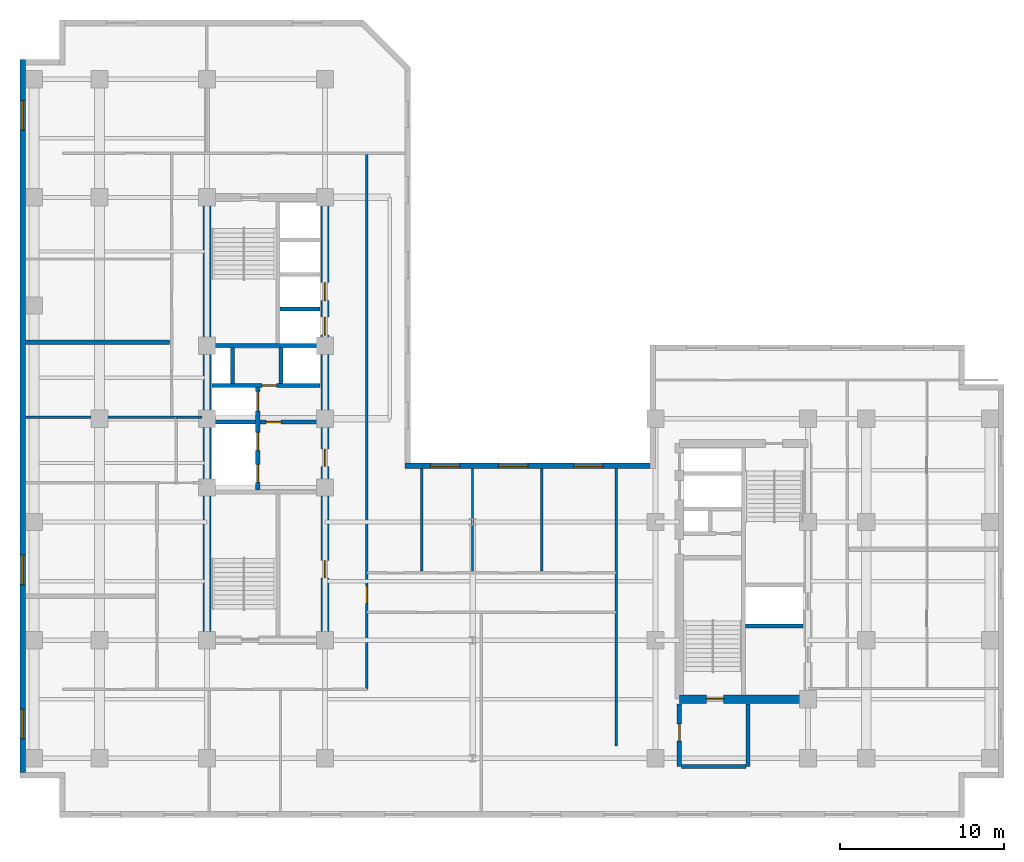
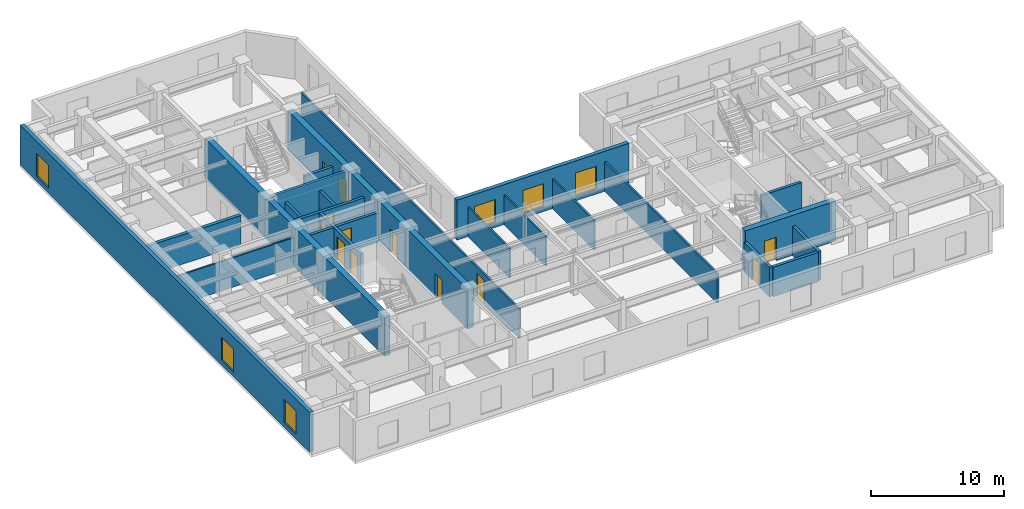
# One storey, part 4 of 9: 25 walls, 12 doors, 6 windows, 18 openings.
"""IFC4 building model written with IfcOpenShell, lengths in metres."""

from ifc_helpers import new_model, entity, si_unit, converted_unit, direction, frame, origin_with_axes, origin_2d_with_axis, place, context, subcontext, project, spatial, polyline, rectangle, outline, extrude, material, layer, layer_set, type_object, element, fill, save


model = new_model("IFC4")

# Units and contexts
model_context = context("Model", 3, precision=1e-05, world=origin_with_axes(), true_north=direction((0.0, 1.0)))
body_context = subcontext(model_context, "Body", "Model", "MODEL_VIEW")
ifc_project = project(units=[si_unit("LENGTHUNIT", "METRE"), si_unit("AREAUNIT", "SQUARE_METRE"), si_unit("VOLUMEUNIT", "CUBIC_METRE"), converted_unit("PLANEANGLEUNIT", "DEGREE", entity("IfcPlaneAngleMeasure", 0.017453292519943295), si_unit("PLANEANGLEUNIT", "RADIAN"), dimensions=[0, 0, 0, 0, 0, 0, 0]), si_unit("MASSUNIT", "GRAM", prefix="KILO"), si_unit("THERMODYNAMICTEMPERATUREUNIT", "KELVIN")], contexts=[model_context])

# Site, building, storey
site_placement = place(None, origin_with_axes())
site = spatial("IfcSite", under=ifc_project, at=site_placement, CompositionType="ELEMENT")
building_placement = place(site_placement, origin_with_axes())
building = spatial("IfcBuilding", under=site, at=building_placement, Name="Varnlund Millrace Tower", CompositionType="ELEMENT")
storey_placement = place(building_placement, frame((0.0, 0.0, 164.1), z_axis=(0.0, 0.0, 1.0), x_axis=(1.0, 0.0, 0.0)))
storey = spatial("IfcBuildingStorey", under=building, at=storey_placement, Name="L40", CompositionType="ELEMENT", Elevation=164.1)

# Wall
ifc_material_1 = material(Name="Concrete C70/85", Category="concrete")
ifc_layer_1 = layer(ifc_material_1, 0.5, Name="Concrete C70/85")
ifc_layer_set_1 = layer_set([ifc_layer_1], Name="Concrete C70/85")
wall_type_1 = type_object("IfcWallType", Name="Type-CoreWall-Shear-500-C70", PredefinedType="SHEAR", material=ifc_layer_set_1)
wall_1_placement = place(storey_placement, frame((11.4, 10.8, 0.0), z_axis=(0.0, 0.0, 1.0), x_axis=(0.0, 1.0, 0.0)))
element("IfcWall", 1, at=wall_1_placement, inside=storey, type_object=wall_type_1, Name="Type-CoreWall-Shear-500-C70", PredefinedType="SHEAR", context=body_context, shape_type="SweptSolid", body=[
    extrude(outline(polyline([(0.0, -0.25), (27.0, -0.25), (27.0, 0.25), (0.0, 0.25), (0.0, -0.25)])), origin_with_axes(), (0.0, 0.0, 1.0), 3.66),
])

# Wall, openings, doors
wall_2_placement = place(storey_placement, frame((18.6, 10.8, 0.0), z_axis=(0.0, 0.0, 1.0), x_axis=(0.0, 1.0, 0.0)))
wall_2 = element("IfcWall", 2, at=wall_2_placement, inside=storey, type_object=wall_type_1, Name="Type-CoreWall-Shear-500-C70", PredefinedType="SHEAR", context=body_context, shape_type="SweptSolid", body=[
    extrude(outline(polyline([(0.0, -0.25), (13.5, -0.25), (13.5, 0.25), (0.0, 0.25), (0.0, -0.25)])), origin_with_axes(), (0.0, 0.0, 1.0), 3.66),
])
opening_1_placement = place(wall_2_placement, frame((11.125, 0.0, 0.0), z_axis=(0.0, 0.0, 1.0), x_axis=(1.0, 0.0, 0.0)))
opening_1 = element("IfcOpeningElement", 3, at=opening_1_placement, cuts=wall_2, Name="Opening L40:DR-FFLOB-A", PredefinedType="OPENING", context=body_context, shape_type="SweptSolid", body=[
    extrude(rectangle(XDim=1.05, YDim=0.52, at=origin_2d_with_axis()), origin_with_axes(), (0.0, 0.0, 1.0), 2.15),
])
opening_2_placement = place(wall_2_placement, frame((4.325, 0.0, 0.0), z_axis=(0.0, 0.0, 1.0), x_axis=(1.0, 0.0, 0.0)))
opening_2 = element("IfcOpeningElement", 4, at=opening_2_placement, cuts=wall_2, Name="Opening L40:DR-RECL-A1", PredefinedType="OPENING", context=body_context, shape_type="SweptSolid", body=[
    extrude(rectangle(XDim=1.05, YDim=0.52, at=origin_2d_with_axis()), origin_with_axes(), (0.0, 0.0, 1.0), 2.15),
])
ifc_material_2 = material(Name="Smoke-barrier hollow steel fire door", Category="steel")
door_type_1 = type_object("IfcDoorType", Name="Type-FireDoor-Lobby-1050X2150", OperationType="NOTDEFINED", PredefinedType="DOOR", material=ifc_material_2)
door_1_placement = place(wall_2_placement, frame((11.125, 0.0, 0.0), z_axis=(0.0, 0.0, 1.0), x_axis=(1.0, 0.0, 0.0)))
door_1 = element("IfcDoor", 5, at=door_1_placement, inside=storey, type_object=door_type_1, Name="Type-FireDoor-Lobby-1050X2150", OperationType="SINGLE_SWING_LEFT", OverallHeight=2.15, OverallWidth=1.05, PredefinedType="DOOR", context=body_context, shape_type="SweptSolid", body=[
    extrude(rectangle(XDim=1.05, YDim=0.09, at=origin_2d_with_axis()), origin_with_axes(), (0.0, 0.0, 1.0), 2.15),
])
fill(opening_1, door_1)
door_2_placement = place(wall_2_placement, frame((4.325, 0.0, 0.0), z_axis=(0.0, 0.0, 1.0), x_axis=(1.0, 0.0, 0.0)))
door_2 = element("IfcDoor", 6, at=door_2_placement, inside=storey, type_object=door_type_1, Name="Type-FireDoor-Lobby-1050X2150", OperationType="SINGLE_SWING_LEFT", OverallHeight=2.15, OverallWidth=1.05, PredefinedType="DOOR", context=body_context, shape_type="SweptSolid", body=[
    extrude(rectangle(XDim=1.05, YDim=0.09, at=origin_2d_with_axis()), origin_with_axes(), (0.0, 0.0, 1.0), 2.15),
])
fill(opening_2, door_2)

wall_3_placement = place(storey_placement, frame((18.6, 24.3, 0.0), z_axis=(0.0, 0.0, 1.0), x_axis=(0.0, 1.0, 0.0)))
wall_3 = element("IfcWall", 7, at=wall_3_placement, inside=storey, type_object=wall_type_1, Name="Type-CoreWall-Shear-500-C70", PredefinedType="SHEAR", context=body_context, shape_type="SweptSolid", body=[
    extrude(outline(polyline([(0.0, -0.25), (13.5, -0.25), (13.5, 0.25), (0.0, 0.25), (0.0, -0.25)])), origin_with_axes(), (0.0, 0.0, 1.0), 3.66),
])
opening_3_placement = place(wall_3_placement, frame((5.65, 0.0, 0.0), z_axis=(0.0, 0.0, 1.0), x_axis=(1.0, 0.0, 0.0)))
opening_3 = element("IfcOpeningElement", 8, at=opening_3_placement, cuts=wall_3, Name="Opening L40:LD-ELV-M1", PredefinedType="OPENING", context=body_context, shape_type="SweptSolid", body=[
    extrude(rectangle(XDim=1.1, YDim=0.52, at=origin_2d_with_axis()), origin_with_axes(), (0.0, 0.0, 1.0), 2.15),
])
opening_4_placement = place(wall_3_placement, frame((7.75, 0.0, 0.0), z_axis=(0.0, 0.0, 1.0), x_axis=(1.0, 0.0, 0.0)))
opening_4 = element("IfcOpeningElement", 9, at=opening_4_placement, cuts=wall_3, Name="Opening L40:LD-ELV-M2", PredefinedType="OPENING", context=body_context, shape_type="SweptSolid", body=[
    extrude(rectangle(XDim=1.1, YDim=0.52, at=origin_2d_with_axis()), origin_with_axes(), (0.0, 0.0, 1.0), 2.15),
])
ifc_material_3 = material(Name="Stainless and architectural bronze sliding landing door")
door_type_2 = type_object("IfcDoorType", Name="Type-LiftLandingDoor-1100X2150", OperationType="NOTDEFINED", PredefinedType="DOOR", material=ifc_material_3)
door_3_placement = place(wall_3_placement, frame((5.65, 0.0, 0.0), z_axis=(0.0, 0.0, 1.0), x_axis=(1.0, 0.0, 0.0)))
door_3 = element("IfcDoor", 10, at=door_3_placement, inside=storey, type_object=door_type_2, Name="Type-LiftLandingDoor-1100X2150", OperationType="SLIDING_TO_LEFT", OverallHeight=2.15, OverallWidth=1.1, PredefinedType="DOOR", context=body_context, shape_type="SweptSolid", body=[
    extrude(rectangle(XDim=1.1, YDim=0.09, at=origin_2d_with_axis()), origin_with_axes(), (0.0, 0.0, 1.0), 2.15),
])
fill(opening_3, door_3)
door_4_placement = place(wall_3_placement, frame((7.75, 0.0, 0.0), z_axis=(0.0, 0.0, 1.0), x_axis=(1.0, 0.0, 0.0)))
door_4 = element("IfcDoor", 11, at=door_4_placement, inside=storey, type_object=door_type_2, Name="Type-LiftLandingDoor-1100X2150", OperationType="SLIDING_TO_RIGHT", OverallHeight=2.15, OverallWidth=1.1, PredefinedType="DOOR", context=body_context, shape_type="SweptSolid", body=[
    extrude(rectangle(XDim=1.1, YDim=0.09, at=origin_2d_with_axis()), origin_with_axes(), (0.0, 0.0, 1.0), 2.15),
])
fill(opening_4, door_4)

# Wall, opening, door
wall_4_placement = place(storey_placement, frame((40.2, 7.2, 0.0), z_axis=(0.0, 0.0, 1.0), x_axis=(1.0, 0.0, 0.0)))
wall_4 = element("IfcWall", 12, at=wall_4_placement, inside=storey, type_object=wall_type_1, Name="Type-CoreWall-Shear-500-C70", PredefinedType="SHEAR", context=body_context, shape_type="SweptSolid", body=[
    extrude(outline(polyline([(0.0, -0.25), (7.85, -0.25), (7.85, 0.25), (0.0, 0.25), (0.0, -0.25)])), origin_with_axes(), (0.0, 0.0, 1.0), 3.66),
])
opening_5_placement = place(wall_4_placement, frame((2.175, 0.0, 0.0), z_axis=(0.0, 0.0, 1.0), x_axis=(1.0, 0.0, 0.0)))
opening_5 = element("IfcOpeningElement", 13, at=opening_5_placement, cuts=wall_4, Name="Opening L40:DR-STB1", PredefinedType="OPENING", context=body_context, shape_type="SweptSolid", body=[
    extrude(rectangle(XDim=1.05, YDim=0.52, at=origin_2d_with_axis()), origin_with_axes(), (0.0, 0.0, 1.0), 2.15),
])
ifc_material_4 = material(Name="Fire-rated hollow steel door", Category="steel")
door_type_3 = type_object("IfcDoorType", Name="Type-FireDoor-Stair-1050X2150", OperationType="NOTDEFINED", PredefinedType="DOOR", material=ifc_material_4)
door_5_placement = place(wall_4_placement, frame((2.175, 0.0, 0.0), z_axis=(0.0, 0.0, 1.0), x_axis=(1.0, 0.0, 0.0)))
door_5 = element("IfcDoor", 14, at=door_5_placement, inside=storey, type_object=door_type_3, Name="Type-FireDoor-Stair-1050X2150", OperationType="SINGLE_SWING_LEFT", OverallHeight=2.15, OverallWidth=1.05, PredefinedType="DOOR", context=body_context, shape_type="SweptSolid", body=[
    extrude(rectangle(XDim=1.05, YDim=0.09, at=origin_2d_with_axis()), origin_with_axes(), (0.0, 0.0, 1.0), 2.15),
])
fill(opening_5, door_5)

# Wall, openings, windows
ifc_material_5 = material(Name="Precast concrete C50/60", Category="concrete")
ifc_layer_2 = layer(ifc_material_5, 0.34, Name="Precast concrete C50/60")
ifc_layer_set_2 = layer_set([ifc_layer_2], Name="Precast concrete C50/60")
wall_type_2 = type_object("IfcWallType", Name="Type-ExtWall-Precast-Upper-340", PredefinedType="SOLIDWALL", material=ifc_layer_set_2)
wall_5_placement = place(storey_placement, frame((0.17, 2.74, 0.0), z_axis=(0.0, 0.0, 1.0), x_axis=(0.0, 1.0, 0.0)))
wall_5 = element("IfcWall", 15, at=wall_5_placement, inside=storey, type_object=wall_type_2, Name="Type-ExtWall-Precast-Upper-340", PredefinedType="SOLIDWALL", context=body_context, shape_type="SweptSolid", body=[
    extrude(outline(polyline([(0.0, -0.17), (43.46, -0.17), (43.46, 0.17), (0.0, 0.17), (0.0, -0.17)])), origin_with_axes(), (0.0, 0.0, 1.0), 3.66),
])
opening_6_placement = place(wall_5_placement, frame((2.948, 0.0, 0.45), z_axis=(0.0, 0.0, 1.0), x_axis=(1.0, 0.0, 0.0)))
opening_6 = element("IfcOpeningElement", 16, at=opening_6_placement, cuts=wall_5, Name="Opening L40:WN-19", PredefinedType="OPENING", context=body_context, shape_type="SweptSolid", body=[
    extrude(rectangle(XDim=1.8, YDim=0.36, at=origin_2d_with_axis()), origin_with_axes(), (0.0, 0.0, 1.0), 2.1),
])
opening_7_placement = place(wall_5_placement, frame((12.339, 0.0, 0.45), z_axis=(0.0, 0.0, 1.0), x_axis=(1.0, 0.0, 0.0)))
opening_7 = element("IfcOpeningElement", 17, at=opening_7_placement, cuts=wall_5, Name="Opening L40:WN-20", PredefinedType="OPENING", context=body_context, shape_type="SweptSolid", body=[
    extrude(rectangle(XDim=1.8, YDim=0.36, at=origin_2d_with_axis()), origin_with_axes(), (0.0, 0.0, 1.0), 2.1),
])
opening_8_placement = place(wall_5_placement, frame((40.062, 0.0, 0.45), z_axis=(0.0, 0.0, 1.0), x_axis=(1.0, 0.0, 0.0)))
opening_8 = element("IfcOpeningElement", 18, at=opening_8_placement, cuts=wall_5, Name="Opening L40:WN-21", PredefinedType="OPENING", context=body_context, shape_type="SweptSolid", body=[
    extrude(rectangle(XDim=1.8, YDim=0.36, at=origin_2d_with_axis()), origin_with_axes(), (0.0, 0.0, 1.0), 2.1),
])
ifc_material_6 = material(Name="Argon low-e triple glazing in thermally broken bronze frame", Category="glass")
window_type = type_object("IfcWindowType", Name="Type-Window-Punched-1800X2100", PartitioningType="SINGLE_PANEL", PredefinedType="WINDOW", material=ifc_material_6)
window_1_placement = place(wall_5_placement, frame((2.948, 0.0, 0.45), z_axis=(0.0, 0.0, 1.0), x_axis=(1.0, 0.0, 0.0)))
window_1 = element("IfcWindow", 19, at=window_1_placement, inside=storey, type_object=window_type, Name="Type-Window-Punched-1800X2100", OverallHeight=2.1, OverallWidth=1.8, PredefinedType="WINDOW", context=body_context, shape_type="SweptSolid", body=[
    extrude(rectangle(XDim=1.8, YDim=0.09, at=origin_2d_with_axis()), origin_with_axes(), (0.0, 0.0, 1.0), 2.1),
])
fill(opening_6, window_1)
window_2_placement = place(wall_5_placement, frame((12.339, 0.0, 0.45), z_axis=(0.0, 0.0, 1.0), x_axis=(1.0, 0.0, 0.0)))
window_2 = element("IfcWindow", 20, at=window_2_placement, inside=storey, type_object=window_type, Name="Type-Window-Punched-1800X2100", OverallHeight=2.1, OverallWidth=1.8, PredefinedType="WINDOW", context=body_context, shape_type="SweptSolid", body=[
    extrude(rectangle(XDim=1.8, YDim=0.09, at=origin_2d_with_axis()), origin_with_axes(), (0.0, 0.0, 1.0), 2.1),
])
fill(opening_7, window_2)
window_3_placement = place(wall_5_placement, frame((40.062, 0.0, 0.45), z_axis=(0.0, 0.0, 1.0), x_axis=(1.0, 0.0, 0.0)))
window_3 = element("IfcWindow", 21, at=window_3_placement, inside=storey, type_object=window_type, Name="Type-Window-Punched-1800X2100", OverallHeight=2.1, OverallWidth=1.8, PredefinedType="WINDOW", context=body_context, shape_type="SweptSolid", body=[
    extrude(rectangle(XDim=1.8, YDim=0.09, at=origin_2d_with_axis()), origin_with_axes(), (0.0, 0.0, 1.0), 2.1),
])
fill(opening_8, window_3)

wall_6_placement = place(storey_placement, frame((23.479, 21.43, 0.0), z_axis=(0.0, 0.0, 1.0), x_axis=(1.0, 0.0, 0.0)))
wall_6 = element("IfcWall", 22, at=wall_6_placement, inside=storey, type_object=wall_type_2, Name="Type-ExtWall-Precast-Upper-340", PredefinedType="SOLIDWALL", context=body_context, shape_type="SweptSolid", body=[
    extrude(outline(polyline([(0.0, -0.17), (14.921, -0.17), (14.921, 0.17), (0.0, 0.17), (0.0, -0.17)])), origin_with_axes(), (0.0, 0.0, 1.0), 3.66),
])
opening_9_placement = place(wall_6_placement, frame((2.437, 0.0, 0.45), z_axis=(0.0, 0.0, 1.0), x_axis=(1.0, 0.0, 0.0)))
opening_9 = element("IfcOpeningElement", 23, at=opening_9_placement, cuts=wall_6, Name="Opening L40:WN-29", PredefinedType="OPENING", context=body_context, shape_type="SweptSolid", body=[
    extrude(rectangle(XDim=1.8, YDim=0.36, at=origin_2d_with_axis()), origin_with_axes(), (0.0, 0.0, 1.0), 2.1),
])
opening_10_placement = place(wall_6_placement, frame((6.61, 0.0, 0.45), z_axis=(0.0, 0.0, 1.0), x_axis=(1.0, 0.0, 0.0)))
opening_10 = element("IfcOpeningElement", 24, at=opening_10_placement, cuts=wall_6, Name="Opening L40:WN-30", PredefinedType="OPENING", context=body_context, shape_type="SweptSolid", body=[
    extrude(rectangle(XDim=1.8, YDim=0.36, at=origin_2d_with_axis()), origin_with_axes(), (0.0, 0.0, 1.0), 2.1),
])
opening_11_placement = place(wall_6_placement, frame((11.184, 0.0, 0.45), z_axis=(0.0, 0.0, 1.0), x_axis=(1.0, 0.0, 0.0)))
opening_11 = element("IfcOpeningElement", 25, at=opening_11_placement, cuts=wall_6, Name="Opening L40:WN-31", PredefinedType="OPENING", context=body_context, shape_type="SweptSolid", body=[
    extrude(rectangle(XDim=1.8, YDim=0.36, at=origin_2d_with_axis()), origin_with_axes(), (0.0, 0.0, 1.0), 2.1),
])
window_4_placement = place(wall_6_placement, frame((2.437, 0.0, 0.45), z_axis=(0.0, 0.0, 1.0), x_axis=(1.0, 0.0, 0.0)))
window_4 = element("IfcWindow", 26, at=window_4_placement, inside=storey, type_object=window_type, Name="Type-Window-Punched-1800X2100", OverallHeight=2.1, OverallWidth=1.8, PredefinedType="WINDOW", context=body_context, shape_type="SweptSolid", body=[
    extrude(rectangle(XDim=1.8, YDim=0.09, at=origin_2d_with_axis()), origin_with_axes(), (0.0, 0.0, 1.0), 2.1),
])
fill(opening_9, window_4)
window_5_placement = place(wall_6_placement, frame((6.61, 0.0, 0.45), z_axis=(0.0, 0.0, 1.0), x_axis=(1.0, 0.0, 0.0)))
window_5 = element("IfcWindow", 27, at=window_5_placement, inside=storey, type_object=window_type, Name="Type-Window-Punched-1800X2100", OverallHeight=2.1, OverallWidth=1.8, PredefinedType="WINDOW", context=body_context, shape_type="SweptSolid", body=[
    extrude(rectangle(XDim=1.8, YDim=0.09, at=origin_2d_with_axis()), origin_with_axes(), (0.0, 0.0, 1.0), 2.1),
])
fill(opening_10, window_5)
window_6_placement = place(wall_6_placement, frame((11.184, 0.0, 0.45), z_axis=(0.0, 0.0, 1.0), x_axis=(1.0, 0.0, 0.0)))
window_6 = element("IfcWindow", 28, at=window_6_placement, inside=storey, type_object=window_type, Name="Type-Window-Punched-1800X2100", OverallHeight=2.1, OverallWidth=1.8, PredefinedType="WINDOW", context=body_context, shape_type="SweptSolid", body=[
    extrude(rectangle(XDim=1.8, YDim=0.09, at=origin_2d_with_axis()), origin_with_axes(), (0.0, 0.0, 1.0), 2.1),
])
fill(opening_11, window_6)

# Wall
ifc_material_7 = material(Name="Double-stud STC-60 conference acoustic partition", Category="gypsum")
ifc_layer_3 = layer(ifc_material_7, 0.28, Name="Double-stud STC-60 conference acoustic partition")
ifc_layer_set_3 = layer_set([ifc_layer_3], Name="Double-stud STC-60 conference acoustic partition")
wall_type_3 = type_object("IfcWallType", Name="Type-Partition-Acoustic-280", PredefinedType="PARTITIONING", material=ifc_layer_set_3)
wall_7_placement = place(storey_placement, frame((0.335, 28.97, 0.0), z_axis=(0.0, 0.0, 1.0), x_axis=(1.0, 0.0, 0.0)))
element("IfcWall", 29, at=wall_7_placement, inside=storey, type_object=wall_type_3, Name="Type-Partition-Acoustic-280", PredefinedType="PARTITIONING", context=body_context, shape_type="SweptSolid", body=[
    extrude(outline(polyline([(0.0, -0.14), (8.795, -0.14), (8.795, 0.14), (0.0, 0.14), (0.0, -0.14)])), origin_with_axes(), (0.0, 0.0, 1.0), 2.7),
])

# Wall, opening, door
ifc_material_8 = material(Name="Fire-rated gypsum board on cold-formed steel framing", Category="steel")
ifc_layer_4 = layer(ifc_material_8, 0.16, Name="Fire-rated gypsum board on cold-formed steel framing")
ifc_layer_set_4 = layer_set([ifc_layer_4], Name="Fire-rated gypsum board on cold-formed steel framing")
wall_type_4 = type_object("IfcWallType", Name="Type-Partition-Corridor-160", PredefinedType="PARTITIONING", material=ifc_layer_set_4)
wall_8_placement = place(storey_placement, frame((21.15, 7.8, 0.0), z_axis=(0.0, 0.0, 1.0), x_axis=(0.0, 1.0, 0.0)))
wall_8 = element("IfcWall", 30, at=wall_8_placement, inside=storey, type_object=wall_type_4, Name="Type-Partition-Corridor-160", PredefinedType="PARTITIONING", context=body_context, shape_type="SweptSolid", body=[
    extrude(outline(polyline([(0.0, -0.08), (32.7, -0.08), (32.7, 0.08), (0.0, 0.08), (0.0, -0.08)])), origin_with_axes(), (0.0, 0.0, 1.0), 2.7),
])
opening_12_placement = place(wall_8_placement, frame((5.775, 0.0, 0.0), z_axis=(0.0, 0.0, 1.0), x_axis=(1.0, 0.0, 0.0)))
opening_12 = element("IfcOpeningElement", 31, at=opening_12_placement, cuts=wall_8, Name="Opening L40:DR-KN-W", PredefinedType="OPENING", context=body_context, shape_type="SweptSolid", body=[
    extrude(rectangle(XDim=1.05, YDim=0.18, at=origin_2d_with_axis()), origin_with_axes(), (0.0, 0.0, 1.0), 2.15),
])
door_6_placement = place(wall_8_placement, frame((5.775, 0.0, 0.0), z_axis=(0.0, 0.0, 1.0), x_axis=(1.0, 0.0, 0.0)))
door_6 = element("IfcDoor", 32, at=door_6_placement, inside=storey, type_object=door_type_1, Name="Type-FireDoor-Lobby-1050X2150", OperationType="SINGLE_SWING_LEFT", OverallHeight=2.15, OverallWidth=1.05, PredefinedType="DOOR", context=body_context, shape_type="SweptSolid", body=[
    extrude(rectangle(XDim=1.05, YDim=0.09, at=origin_2d_with_axis()), origin_with_axes(), (0.0, 0.0, 1.0), 2.15),
])
fill(opening_12, door_6)

# Walls
wall_9_placement = place(storey_placement, frame((36.35, 4.35, 0.0), z_axis=(0.0, 0.0, 1.0), x_axis=(0.0, 1.0, 0.0)))
element("IfcWall", 33, at=wall_9_placement, inside=storey, type_object=wall_type_4, Name="Type-Partition-Corridor-160", PredefinedType="PARTITIONING", context=body_context, shape_type="SweptSolid", body=[
    extrude(outline(polyline([(0.0, -0.08), (16.95, -0.08), (16.95, 0.08), (0.0, 0.08), (0.0, -0.08)])), origin_with_axes(), (0.0, 0.0, 1.0), 2.7),
])
ifc_material_9 = material(Name="Acoustic STC-50 gypsum board partition", Category="gypsum")
ifc_layer_5 = layer(ifc_material_9, 0.15, Name="Acoustic STC-50 gypsum board partition")
ifc_layer_set_5 = layer_set([ifc_layer_5], Name="Acoustic STC-50 gypsum board partition")
wall_type_5 = type_object("IfcWallType", Name="Type-Partition-Demising-150", PredefinedType="PARTITIONING", material=ifc_layer_set_5)
for number, where, z_axis, x_axis, name in (
    (34, (24.485, 15.02, 0.0), (0.0, 0.0, 1.0), (0.0, 1.0, 0.0), "Type-Partition-Demising-150"),
    (35, (31.809, 15.02, 0.0), (0.0, 0.0, 1.0), (0.0, 1.0, 0.0), "Type-Partition-Demising-150"),
):
    element("IfcWall", number, at=place(storey_placement, frame(where, z_axis=z_axis, x_axis=x_axis)), inside=storey, type_object=wall_type_5, Name=name, PredefinedType="PARTITIONING", context=body_context, shape_type="SweptSolid", body=[
        extrude(outline(polyline([(0.0, -0.075), (6.245, -0.075), (6.245, 0.075), (0.0, 0.075), (0.0, -0.075)])), origin_with_axes(), (0.0, 0.0, 1.0), 2.7),
    ])
ifc_material_10 = material(Name="Gypsum board tenant partition", Category="gypsum")
ifc_layer_6 = layer(ifc_material_10, 0.125, Name="Gypsum board tenant partition")
ifc_layer_set_6 = layer_set([ifc_layer_6], Name="Gypsum board tenant partition")
wall_type_6 = type_object("IfcWallType", Name="Type-Partition-Tenant-125", PredefinedType="PARTITIONING", material=ifc_layer_set_6)
wall_10_placement = place(storey_placement, frame((27.6, 15.02, 0.0), z_axis=(0.0, 0.0, 1.0), x_axis=(0.0, 1.0, 0.0)))
element("IfcWall", 36, at=wall_10_placement, inside=storey, type_object=wall_type_6, Name="Type-Partition-Tenant-125", PredefinedType="PARTITIONING", context=body_context, shape_type="SweptSolid", body=[
    extrude(outline(polyline([(0.0, -0.0625), (6.245, -0.0625), (6.245, 0.0625), (0.0, 0.0625), (0.0, -0.0625)])), origin_with_axes(), (0.0, 0.0, 1.0), 2.7),
])
ifc_material_11 = material(Name="Moisture-resistant gypsum restroom partition", Category="gypsum")
ifc_layer_7 = layer(ifc_material_11, 0.14, Name="Moisture-resistant gypsum restroom partition")
ifc_layer_set_7 = layer_set([ifc_layer_7], Name="Moisture-resistant gypsum restroom partition")
wall_type_7 = type_object("IfcWallType", Name="Type-Partition-Wet-140", PredefinedType="PARTITIONING", material=ifc_layer_set_7)
wall_11_placement = place(storey_placement, frame((9.52, 24.4, 0.0), z_axis=(0.0, 0.0, 1.0), x_axis=(1.0, 0.0, 0.0)))
element("IfcWall", 37, at=wall_11_placement, inside=storey, type_object=wall_type_7, Name="Type-Partition-Wet-140", PredefinedType="PARTITIONING", context=body_context, shape_type="SweptSolid", body=[
    extrude(outline(polyline([(0.0, -0.07), (1.58, -0.07), (1.58, 0.07), (0.0, 0.07), (0.0, -0.07)])), origin_with_axes(), (0.0, 0.0, 1.0), 2.7),
])
wall_12_placement = place(storey_placement, frame((0.335, 24.4, 0.0), z_axis=(0.0, 0.0, 1.0), x_axis=(1.0, 0.0, 0.0)))
element("IfcWall", 38, at=wall_12_placement, inside=storey, type_object=wall_type_7, Name="Type-Partition-Wet-140", PredefinedType="PARTITIONING", context=body_context, shape_type="SweptSolid", body=[
    extrude(outline(polyline([(0.0, -0.07), (9.185, -0.07), (9.185, 0.07), (0.0, 0.07), (0.0, -0.07)])), origin_with_axes(), (0.0, 0.0, 1.0), 2.7),
])

# Wall, openings, doors
ifc_material_12 = material(Name="Concrete C60/75", Category="concrete")
ifc_layer_8 = layer(ifc_material_12, 0.25, Name="Concrete C60/75")
ifc_layer_set_8 = layer_set([ifc_layer_8], Name="Concrete C60/75")
wall_type_8 = type_object("IfcWallType", Name="Type-ShaftWall-Fire-250", PredefinedType="SOLIDWALL", material=ifc_layer_set_8)
wall_13_placement = place(storey_placement, frame((14.5, 19.95, 0.0), z_axis=(0.0, 0.0, 1.0), x_axis=(0.0, 1.0, 0.0)))
wall_13 = element("IfcWall", 39, at=wall_13_placement, inside=storey, type_object=wall_type_8, Name="Type-ShaftWall-Fire-250", PredefinedType="SOLIDWALL", context=body_context, shape_type="SweptSolid", body=[
    extrude(outline(polyline([(0.0, -0.125), (6.25, -0.125), (6.25, 0.125), (0.0, 0.125), (0.0, -0.125)])), origin_with_axes(), (0.0, 0.0, 1.0), 2.7),
])
opening_13_placement = place(wall_13_placement, frame((1.025, 0.0, 0.0), z_axis=(0.0, 0.0, 1.0), x_axis=(1.0, 0.0, 0.0)))
opening_13 = element("IfcOpeningElement", 40, at=opening_13_placement, cuts=wall_13, Name="Opening L40:LD-FSAE1", PredefinedType="OPENING", context=body_context, shape_type="SweptSolid", body=[
    extrude(rectangle(XDim=1.1, YDim=0.27, at=origin_2d_with_axis()), origin_with_axes(), (0.0, 0.0, 1.0), 2.15),
])
opening_14_placement = place(wall_13_placement, frame((2.975, 0.0, 0.0), z_axis=(0.0, 0.0, 1.0), x_axis=(1.0, 0.0, 0.0)))
opening_14 = element("IfcOpeningElement", 41, at=opening_14_placement, cuts=wall_13, Name="Opening L40:LD-FSAE2", PredefinedType="OPENING", context=body_context, shape_type="SweptSolid", body=[
    extrude(rectangle(XDim=1.1, YDim=0.27, at=origin_2d_with_axis()), origin_with_axes(), (0.0, 0.0, 1.0), 2.15),
])
opening_15_placement = place(wall_13_placement, frame((5.425, 0.0, 0.0), z_axis=(0.0, 0.0, 1.0), x_axis=(1.0, 0.0, 0.0)))
opening_15 = element("IfcOpeningElement", 42, at=opening_15_placement, cuts=wall_13, Name="Opening L40:LD-SRV1", PredefinedType="OPENING", context=body_context, shape_type="SweptSolid", body=[
    extrude(rectangle(XDim=1.2, YDim=0.27, at=origin_2d_with_axis()), origin_with_axes(), (0.0, 0.0, 1.0), 2.15),
])
door_7_placement = place(wall_13_placement, frame((1.025, 0.0, 0.0), z_axis=(0.0, 0.0, 1.0), x_axis=(1.0, 0.0, 0.0)))
door_7 = element("IfcDoor", 43, at=door_7_placement, inside=storey, type_object=door_type_2, Name="Type-LiftLandingDoor-1100X2150", OperationType="SLIDING_TO_LEFT", OverallHeight=2.15, OverallWidth=1.1, PredefinedType="DOOR", context=body_context, shape_type="SweptSolid", body=[
    extrude(rectangle(XDim=1.1, YDim=0.09, at=origin_2d_with_axis()), origin_with_axes(), (0.0, 0.0, 1.0), 2.15),
])
fill(opening_13, door_7)
door_8_placement = place(wall_13_placement, frame((2.975, 0.0, 0.0), z_axis=(0.0, 0.0, 1.0), x_axis=(1.0, 0.0, 0.0)))
door_8 = element("IfcDoor", 44, at=door_8_placement, inside=storey, type_object=door_type_2, Name="Type-LiftLandingDoor-1100X2150", OperationType="SLIDING_TO_RIGHT", OverallHeight=2.15, OverallWidth=1.1, PredefinedType="DOOR", context=body_context, shape_type="SweptSolid", body=[
    extrude(rectangle(XDim=1.1, YDim=0.09, at=origin_2d_with_axis()), origin_with_axes(), (0.0, 0.0, 1.0), 2.15),
])
fill(opening_14, door_8)
ifc_material_13 = material(Name="Heavy-duty freight sliding landing door")
door_type_4 = type_object("IfcDoorType", Name="Type-LiftLandingDoor-Service-1200X2150", OperationType="NOTDEFINED", PredefinedType="DOOR", material=ifc_material_13)
door_9_placement = place(wall_13_placement, frame((5.425, 0.0, 0.0), z_axis=(0.0, 0.0, 1.0), x_axis=(1.0, 0.0, 0.0)))
door_9 = element("IfcDoor", 45, at=door_9_placement, inside=storey, type_object=door_type_4, Name="Type-LiftLandingDoor-Service-1200X2150", OperationType="DOUBLE_DOOR_SLIDING", OverallHeight=2.15, OverallWidth=1.2, PredefinedType="DOOR", context=body_context, shape_type="SweptSolid", body=[
    extrude(rectangle(XDim=1.2, YDim=0.09, at=origin_2d_with_axis()), origin_with_axes(), (0.0, 0.0, 1.0), 2.15),
])
fill(opening_15, door_9)

# Wall, opening, door
wall_14_placement = place(storey_placement, frame((11.7, 24.1, 0.0), z_axis=(0.0, 0.0, 1.0), x_axis=(1.0, 0.0, 0.0)))
wall_14 = element("IfcWall", 46, at=wall_14_placement, inside=storey, type_object=wall_type_8, Name="Type-ShaftWall-Fire-250", PredefinedType="SOLIDWALL", context=body_context, shape_type="SweptSolid", body=[
    extrude(outline(polyline([(0.0, -0.125), (6.6, -0.125), (6.6, 0.125), (0.0, 0.125), (0.0, -0.125)])), origin_with_axes(), (0.0, 0.0, 1.0), 2.7),
])
opening_16_placement = place(wall_14_placement, frame((3.75, 0.0, 0.0), z_axis=(0.0, 0.0, 1.0), x_axis=(1.0, 0.0, 0.0)))
opening_16 = element("IfcOpeningElement", 47, at=opening_16_placement, cuts=wall_14, Name="Opening L40:DR-CA-SRV1", PredefinedType="OPENING", context=body_context, shape_type="SweptSolid", body=[
    extrude(rectangle(XDim=0.9, YDim=0.27, at=origin_2d_with_axis()), origin_with_axes(), (0.0, 0.0, 1.0), 2.15),
])
ifc_material_14 = material(Name="Fire-rated hollow steel service closet door", Category="steel")
door_type_5 = type_object("IfcDoorType", Name="Type-FireDoor-Closet-900X2150", OperationType="NOTDEFINED", PredefinedType="DOOR", material=ifc_material_14)
door_10_placement = place(wall_14_placement, frame((3.75, 0.0, 0.0), z_axis=(0.0, 0.0, 1.0), x_axis=(1.0, 0.0, 0.0)))
door_10 = element("IfcDoor", 48, at=door_10_placement, inside=storey, type_object=door_type_5, Name="Type-FireDoor-Closet-900X2150", OperationType="SINGLE_SWING_LEFT", OverallHeight=2.15, OverallWidth=0.9, PredefinedType="DOOR", context=body_context, shape_type="SweptSolid", body=[
    extrude(rectangle(XDim=0.9, YDim=0.09, at=origin_2d_with_axis()), origin_with_axes(), (0.0, 0.0, 1.0), 2.15),
])
fill(opening_16, door_10)

wall_15_placement = place(storey_placement, frame((11.7, 26.325, 0.0), z_axis=(0.0, 0.0, 1.0), x_axis=(1.0, 0.0, 0.0)))
wall_15 = element("IfcWall", 49, at=wall_15_placement, inside=storey, type_object=wall_type_8, Name="Type-ShaftWall-Fire-250", PredefinedType="SOLIDWALL", context=body_context, shape_type="SweptSolid", body=[
    extrude(outline(polyline([(0.0, -0.125), (6.6, -0.125), (6.6, 0.125), (0.0, 0.125), (0.0, -0.125)])), origin_with_axes(), (0.0, 0.0, 1.0), 2.7),
])
opening_17_placement = place(wall_15_placement, frame((3.5, 0.0, 0.0), z_axis=(0.0, 0.0, 1.0), x_axis=(1.0, 0.0, 0.0)))
opening_17 = element("IfcOpeningElement", 50, at=opening_17_placement, cuts=wall_15, Name="Opening L40:DR-CA-ELC", PredefinedType="OPENING", context=body_context, shape_type="SweptSolid", body=[
    extrude(rectangle(XDim=0.9, YDim=0.27, at=origin_2d_with_axis()), origin_with_axes(), (0.0, 0.0, 1.0), 2.15),
])
door_11_placement = place(wall_15_placement, frame((3.5, 0.0, 0.0), z_axis=(0.0, 0.0, 1.0), x_axis=(1.0, 0.0, 0.0)))
door_11 = element("IfcDoor", 51, at=door_11_placement, inside=storey, type_object=door_type_5, Name="Type-FireDoor-Closet-900X2150", OperationType="SINGLE_SWING_LEFT", OverallHeight=2.15, OverallWidth=0.9, PredefinedType="DOOR", context=body_context, shape_type="SweptSolid", body=[
    extrude(rectangle(XDim=0.9, YDim=0.09, at=origin_2d_with_axis()), origin_with_axes(), (0.0, 0.0, 1.0), 2.15),
])
fill(opening_17, door_11)

# Walls
for number, where, z_axis, x_axis, name in (
    (52, (12.96, 26.45, 0.0), (0.0, 0.0, 1.0), (0.0, 1.0, 0.0), "Type-ShaftWall-Fire-250"),
    (53, (15.925, 26.45, 0.0), (0.0, 0.0, 1.0), (0.0, 1.0, 0.0), "Type-ShaftWall-Fire-250"),
):
    element("IfcWall", number, at=place(storey_placement, frame(where, z_axis=z_axis, x_axis=x_axis)), inside=storey, type_object=wall_type_8, Name=name, PredefinedType="SOLIDWALL", context=body_context, shape_type="SweptSolid", body=[
        extrude(outline(polyline([(0.0, -0.125), (2.2, -0.125), (2.2, 0.125), (0.0, 0.125), (0.0, -0.125)])), origin_with_axes(), (0.0, 0.0, 1.0), 2.7),
    ])

# Wall, opening, door
wall_16_placement = place(storey_placement, frame((40.2, 3.1, 0.0), z_axis=(0.0, 0.0, 1.0), x_axis=(0.0, 1.0, 0.0)))
wall_16 = element("IfcWall", 54, at=wall_16_placement, inside=storey, type_object=wall_type_8, Name="Type-ShaftWall-Fire-250", PredefinedType="SOLIDWALL", context=body_context, shape_type="SweptSolid", body=[
    extrude(outline(polyline([(0.0, -0.125), (3.8, -0.125), (3.8, 0.125), (0.0, 0.125), (0.0, -0.125)])), origin_with_axes(), (0.0, 0.0, 1.0), 2.7),
])
opening_18_placement = place(wall_16_placement, frame((2.075, 0.0, 0.0), z_axis=(0.0, 0.0, 1.0), x_axis=(1.0, 0.0, 0.0)))
opening_18 = element("IfcOpeningElement", 55, at=opening_18_placement, cuts=wall_16, Name="Opening L40:DR-FFLOB-B", PredefinedType="OPENING", context=body_context, shape_type="SweptSolid", body=[
    extrude(rectangle(XDim=1.05, YDim=0.27, at=origin_2d_with_axis()), origin_with_axes(), (0.0, 0.0, 1.0), 2.15),
])
door_12_placement = place(wall_16_placement, frame((2.075, 0.0, 0.0), z_axis=(0.0, 0.0, 1.0), x_axis=(1.0, 0.0, 0.0)))
door_12 = element("IfcDoor", 56, at=door_12_placement, inside=storey, type_object=door_type_1, Name="Type-FireDoor-Lobby-1050X2150", OperationType="SINGLE_SWING_LEFT", OverallHeight=2.15, OverallWidth=1.05, PredefinedType="DOOR", context=body_context, shape_type="SweptSolid", body=[
    extrude(rectangle(XDim=1.05, YDim=0.09, at=origin_2d_with_axis()), origin_with_axes(), (0.0, 0.0, 1.0), 2.15),
])
fill(opening_18, door_12)

# Walls
wall_17_placement = place(storey_placement, frame((40.325, 3.1, 0.0), z_axis=(0.0, 0.0, 1.0), x_axis=(1.0, 0.0, 0.0)))
element("IfcWall", 57, at=wall_17_placement, inside=storey, type_object=wall_type_8, Name="Type-ShaftWall-Fire-250", PredefinedType="SOLIDWALL", context=body_context, shape_type="SweptSolid", body=[
    extrude(outline(polyline([(0.0, -0.125), (3.95, -0.125), (3.95, 0.125), (0.0, 0.125), (0.0, -0.125)])), origin_with_axes(), (0.0, 0.0, 1.0), 2.7),
])
wall_18_placement = place(storey_placement, frame((44.4, 3.1, 0.0), z_axis=(0.0, 0.0, 1.0), x_axis=(0.0, 1.0, 0.0)))
element("IfcWall", 58, at=wall_18_placement, inside=storey, type_object=wall_type_8, Name="Type-ShaftWall-Fire-250", PredefinedType="SOLIDWALL", context=body_context, shape_type="SweptSolid", body=[
    extrude(outline(polyline([(0.0, -0.125), (3.8, -0.125), (3.8, 0.125), (0.0, 0.125), (0.0, -0.125)])), origin_with_axes(), (0.0, 0.0, 1.0), 2.7),
])
wall_19_placement = place(storey_placement, frame((15.84, 31.0, 0.0), z_axis=(0.0, 0.0, 1.0), x_axis=(1.0, 0.0, 0.0)))
element("IfcWall", 59, at=wall_19_placement, inside=storey, type_object=wall_type_8, Name="Type-ShaftWall-Fire-250", PredefinedType="SOLIDWALL", context=body_context, shape_type="SweptSolid", body=[
    extrude(outline(polyline([(0.0, -0.125), (2.46, -0.125), (2.46, 0.125), (0.0, 0.125), (0.0, -0.125)])), origin_with_axes(), (0.0, 0.0, 1.0), 2.7),
])
wall_20_placement = place(storey_placement, frame((44.25, 11.66, 0.0), z_axis=(0.0, 0.0, 1.0), x_axis=(1.0, 0.0, 0.0)))
element("IfcWall", 60, at=wall_20_placement, inside=storey, type_object=wall_type_8, Name="Type-ShaftWall-Fire-250", PredefinedType="SOLIDWALL", context=body_context, shape_type="SweptSolid", body=[
    extrude(outline(polyline([(0.0, -0.125), (3.5, -0.125), (3.5, 0.125), (0.0, 0.125), (0.0, -0.125)])), origin_with_axes(), (0.0, 0.0, 1.0), 2.7),
])
wall_type_9 = type_object("IfcWallType", Name="Type-StairWall-Shear-250", PredefinedType="SHEAR", material=ifc_layer_set_8)
wall_21_placement = place(storey_placement, frame((11.65, 28.775, 0.0), z_axis=(0.0, 0.0, 1.0), x_axis=(1.0, 0.0, 0.0)))
element("IfcWall", 61, at=wall_21_placement, inside=storey, type_object=wall_type_9, Name="Type-StairWall-Shear-250", PredefinedType="SHEAR", context=body_context, shape_type="SweptSolid", body=[
    extrude(outline(polyline([(0.0, -0.125), (6.7, -0.125), (6.7, 0.125), (0.0, 0.125), (0.0, -0.125)])), origin_with_axes(), (0.0, 0.0, 1.0), 3.66),
])

save(model, "model.ifc")
